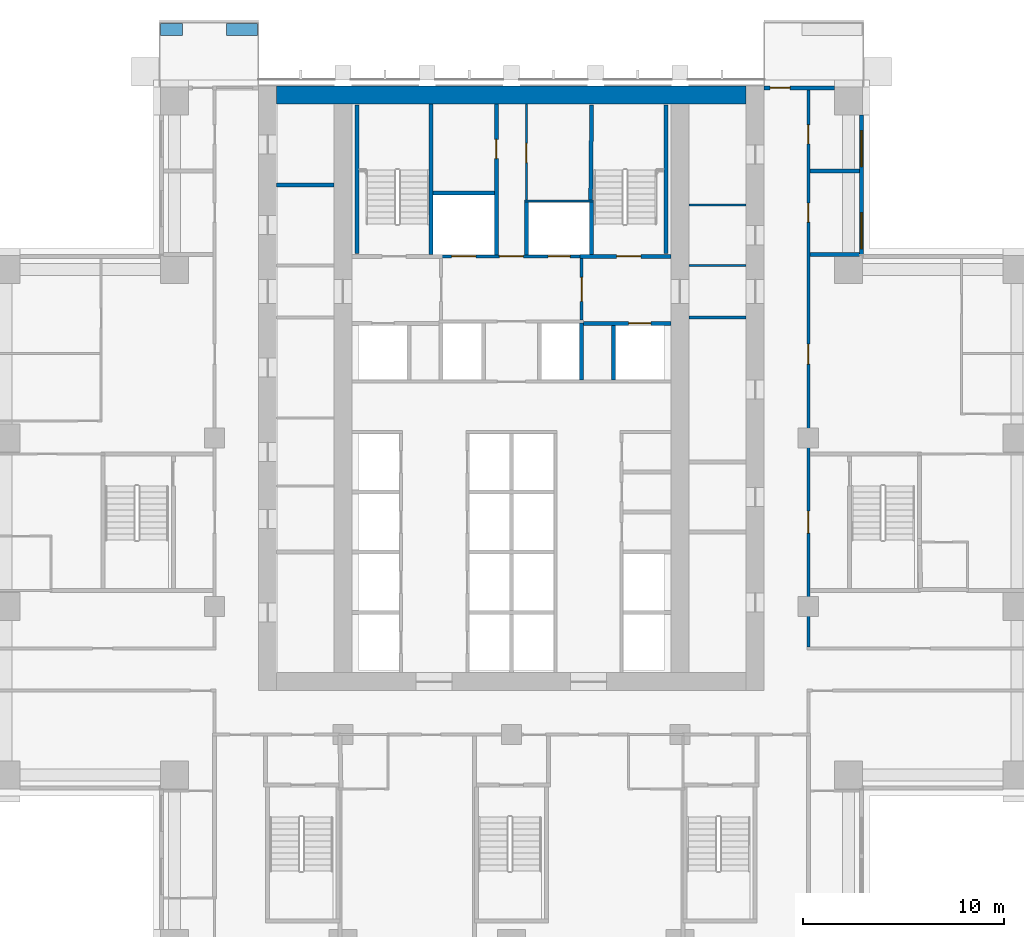
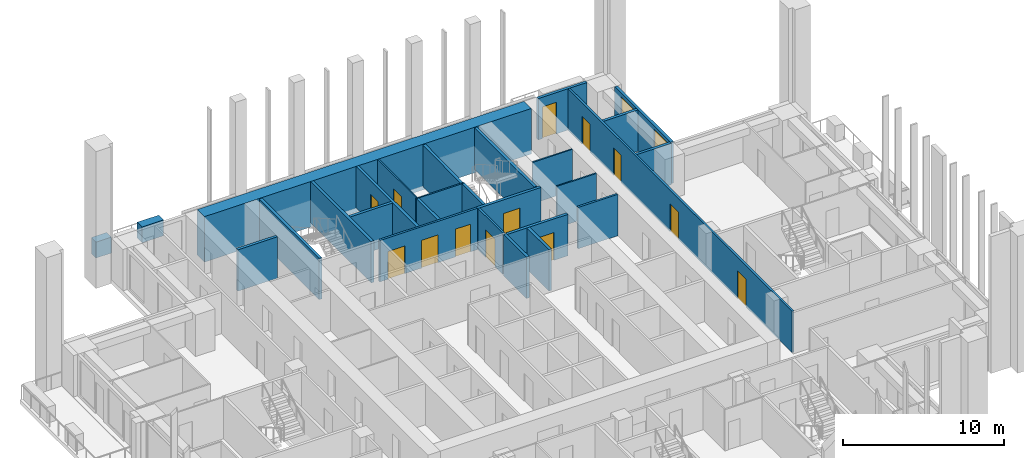
# One storey, part 11 of 17: 28 walls, 13 doors, 2 windows, 15 openings.
"""IFC4 building model written with IfcOpenShell, lengths in metres."""

from ifc_helpers import new_model, si_unit, direction, frame, frame_2d, origin, place, context, subcontext, project, spatial, rectangle, extrude, material, layer, layer_set, type_object, element, fill, save


model = new_model("IFC4")

# Units and contexts
model_context = context("Model", 3, precision=1e-05, world=origin(), true_north=direction((0.0, 1.0)))
body_context = subcontext(model_context, "Body", "Model", "MODEL_VIEW")
ifc_project = project(units=[si_unit("LENGTHUNIT", "METRE"), si_unit("AREAUNIT", "SQUARE_METRE"), si_unit("VOLUMEUNIT", "CUBIC_METRE"), si_unit("PLANEANGLEUNIT", "RADIAN"), si_unit("MASSUNIT", "GRAM", prefix="KILO")], contexts=[model_context])

# Site, building, storey
site_placement = place(None, origin())
site = spatial("IfcSite", under=ifc_project, at=site_placement, CompositionType="ELEMENT")
building_placement = place(site_placement, origin())
building = spatial("IfcBuilding", under=site, at=building_placement, Name="Vermilion Ogive Tower", CompositionType="ELEMENT")
storey_placement = place(building_placement, frame((0.0, 0.0, 37.949951171875)))
storey = spatial("IfcBuildingStorey", under=building, at=storey_placement, Name="L07", CompositionType="ELEMENT", Elevation=37.949951171875)

# Wall
ifc_material_1 = material(Name="Gypsum board partition on steel studs", Category="steel")
ifc_layer_1 = layer(ifc_material_1, 0.10009765625)
ifc_layer_set_1 = layer_set([ifc_layer_1], Name="Partition 100 bath")
wall_type_1 = type_object("IfcWallType", Name="Partition 100 bath", PredefinedType="PARTITIONING", material=ifc_layer_set_1)
wall_1_placement = place(storey_placement, frame((0.64990234375, 16.0, 0.0), z_axis=(0.0, 0.0, 1.0), x_axis=(1.0, 0.0, 0.0)))
element("IfcWall", 1, at=wall_1_placement, inside=storey, type_object=wall_type_1, Name="L07-CK-W-W021", PredefinedType="PARTITIONING", context=body_context, shape_type="SweptSolid", body=[
    extrude(rectangle(XDim=3.4501953125, YDim=0.10009765625, at=frame_2d((1.72509765625, 0.0))), origin(), (0.0, 0.0, 1.0), 3.130126953125),
])

# Wall, opening, door
wall_2_placement = place(storey_placement, frame((0.75, 16.050048828125, 0.0), z_axis=(0.0, 0.0, 1.0), x_axis=(0.0, 1.0, 0.0)))
wall_2 = element("IfcWall", 2, at=wall_2_placement, inside=storey, type_object=wall_type_1, Name="L07-CK-W-W033", PredefinedType="PARTITIONING", context=body_context, shape_type="SweptSolid", body=[
    extrude(rectangle(XDim=4.799072265625, YDim=0.10009765625, at=frame_2d((2.3994140625, 0.0))), origin(), (0.0, 0.0, 1.0), 3.130126953125),
])
opening_1_placement = place(wall_2_placement, frame((1.875, 0.0, 0.0)))
opening_1 = element("IfcOpeningElement", 3, at=opening_1_placement, cuts=wall_2, Name="Opening DAA031", PredefinedType="OPENING", context=body_context, shape_type="SweptSolid", body=[
    extrude(rectangle(XDim=0.949951171875, YDim=2.10009765625, at=frame_2d((0.47509765625, 1.050048828125))), frame((0.0, 0.06005859375, 0.0), z_axis=(0.0, -1.0, 0.0), x_axis=(1.0, 0.0, 0.0)), (0.0, 0.0, 1.0), 0.1201171875),
])
ifc_material_2 = material(Name="Timber door leaf", Category="wood")
door_type_1 = type_object("IfcDoorType", Name="Service door 950 x 2100 FD60", OperationType="SINGLE_SWING_LEFT", PredefinedType="DOOR", material=ifc_material_2)
door_1_placement = place(opening_1_placement, origin())
door_1 = element("IfcDoor", 4, at=door_1_placement, inside=storey, type_object=door_type_1, Name="L07-CK-D-D022", OperationType="SINGLE_SWING_LEFT", OverallHeight=2.10009765625, OverallWidth=0.949951171875, PredefinedType="DOOR", context=body_context, shape_type="SweptSolid", body=[
    extrude(rectangle(XDim=0.949951171875, YDim=2.10009765625, at=frame_2d((0.47509765625, 1.050048828125))), frame((0.0, 0.02490234375, 0.0), z_axis=(0.0, -1.0, 0.0), x_axis=(1.0, 0.0, 0.0)), (0.0, 0.0, 1.0), 0.050048828125),
])
fill(opening_1, door_1)

# Walls
for number, where, z_axis, x_axis, name in (
    (5, (8.85107421875, 12.800048828125, 0.0), (0.0, 0.0, 1.0), (1.0, 0.0, 0.0), "L07-CKE-W-W004"),
    (6, (8.85107421875, 15.800048828125, 0.0), (0.0, 0.0, 1.0), (1.0, 0.0, 0.0), "L07-CKE-W-W005"),
):
    element("IfcWall", number, at=place(storey_placement, frame(where, z_axis=z_axis, x_axis=x_axis)), inside=storey, type_object=wall_type_1, Name=name, PredefinedType="PARTITIONING", context=body_context, shape_type="SweptSolid", body=[
        extrude(rectangle(XDim=2.847900390625, YDim=0.10009765625, at=frame_2d((1.423828125, 0.0))), origin(), (0.0, 0.0, 1.0), 3.130126953125),
    ])

# Wall, openings, doors
ifc_material_3 = material(Name="Gypsum board partition on steel studs", Category="steel")
ifc_layer_2 = layer(ifc_material_3, 0.14990234375)
ifc_layer_set_2 = layer_set([ifc_layer_2], Name="Partition 150 corridor")
wall_type_2 = type_object("IfcWallType", Name="Partition 150 corridor", PredefinedType="PARTITIONING", material=ifc_layer_set_2)
wall_3_placement = place(storey_placement, frame((14.800048828125, -6.22509765625, 0.0), z_axis=(0.0, 0.0, 1.0), x_axis=(0.0, 1.0, 0.0)))
wall_3 = element("IfcWall", 7, at=wall_3_placement, inside=storey, type_object=wall_type_2, Name="L07-W-W068", PredefinedType="PARTITIONING", context=body_context, shape_type="SweptSolid", body=[
    extrude(rectangle(XDim=27.775146484375, YDim=0.14990234375, at=frame_2d((13.8876953125, 0.0))), origin(), (0.0, 0.0, 1.0), 3.130126953125),
])
opening_2_placement = place(wall_3_placement, frame((14.10009765625, 0.0, 0.0)))
opening_2 = element("IfcOpeningElement", 8, at=opening_2_placement, cuts=wall_3, Name="Opening D1G2020", PredefinedType="OPENING", context=body_context, shape_type="SweptSolid", body=[
    extrude(rectangle(XDim=1.0, YDim=2.10009765625, at=frame_2d((0.5, 1.050048828125))), frame((0.0, 0.0849609375, 0.0), z_axis=(0.0, -1.0, 0.0), x_axis=(1.0, 0.0, 0.0)), (0.0, 0.0, 1.0), 0.169921875),
])
opening_3_placement = place(wall_3_placement, frame((21.175048828125, 0.0, 0.0)))
opening_3 = element("IfcOpeningElement", 9, at=opening_3_placement, cuts=wall_3, Name="Opening D1G2023", PredefinedType="OPENING", context=body_context, shape_type="SweptSolid", body=[
    extrude(rectangle(XDim=0.949951171875, YDim=2.10009765625, at=frame_2d((0.47509765625, 1.050048828125))), frame((0.0, 0.0849609375, 0.0), z_axis=(0.0, -1.0, 0.0), x_axis=(1.0, 0.0, 0.0)), (0.0, 0.0, 1.0), 0.169921875),
])
opening_4_placement = place(wall_3_placement, frame((25.0751953125, 0.0, 0.0)))
opening_4 = element("IfcOpeningElement", 10, at=opening_4_placement, cuts=wall_3, Name="Opening D1G2024", PredefinedType="OPENING", context=body_context, shape_type="SweptSolid", body=[
    extrude(rectangle(XDim=0.949951171875, YDim=2.10009765625, at=frame_2d((0.47509765625, 1.050048828125))), frame((0.0, 0.0849609375, 0.0), z_axis=(0.0, -1.0, 0.0), x_axis=(1.0, 0.0, 0.0)), (0.0, 0.0, 1.0), 0.169921875),
])
opening_5_placement = place(wall_3_placement, frame((5.675048828125, 0.0, 0.0)))
opening_5 = element("IfcOpeningElement", 11, at=opening_5_placement, cuts=wall_3, Name="Opening D1G2031", PredefinedType="OPENING", context=body_context, shape_type="SweptSolid", body=[
    extrude(rectangle(XDim=1.10009765625, YDim=2.10009765625, at=frame_2d((0.550048828125, 1.050048828125))), frame((0.0, 0.0849609375, 0.0), z_axis=(0.0, -1.0, 0.0), x_axis=(1.0, 0.0, 0.0)), (0.0, 0.0, 1.0), 0.169921875),
])
ifc_material_4 = material(Name="Timber door leaf", Category="wood")
door_type_2 = type_object("IfcDoorType", Name="Stair door 1100 x 2100 FD60S", OperationType="SINGLE_SWING_LEFT", PredefinedType="DOOR", material=ifc_material_4)
door_2_placement = place(opening_5_placement, origin())
door_2 = element("IfcDoor", 12, at=door_2_placement, inside=storey, type_object=door_type_2, Name="L07-D-D031", OperationType="SINGLE_SWING_LEFT", OverallHeight=2.10009765625, OverallWidth=1.10009765625, PredefinedType="DOOR", context=body_context, shape_type="SweptSolid", body=[
    extrude(rectangle(XDim=1.10009765625, YDim=2.10009765625, at=frame_2d((0.550048828125, 1.050048828125))), frame((0.0, 0.02490234375, 0.0), z_axis=(0.0, -1.0, 0.0), x_axis=(1.0, 0.0, 0.0)), (0.0, 0.0, 1.0), 0.050048828125),
])
fill(opening_5, door_2)
ifc_material_5 = material(Name="Timber door leaf", Category="wood")
door_type_3 = type_object("IfcDoorType", Name="Unit door 1000 x 2100 FD30S", OperationType="SINGLE_SWING_LEFT", PredefinedType="DOOR", material=ifc_material_5)
door_3_placement = place(opening_2_placement, origin())
door_3 = element("IfcDoor", 13, at=door_3_placement, inside=storey, type_object=door_type_3, Name="L07-D-D020", OperationType="SINGLE_SWING_RIGHT", OverallHeight=2.10009765625, OverallWidth=1.0, PredefinedType="DOOR", context=body_context, shape_type="SweptSolid", body=[
    extrude(rectangle(XDim=1.0, YDim=2.10009765625, at=frame_2d((0.5, 1.050048828125))), frame((0.0, 0.02490234375, 0.0), z_axis=(0.0, -1.0, 0.0), x_axis=(1.0, 0.0, 0.0)), (0.0, 0.0, 1.0), 0.050048828125),
])
fill(opening_2, door_3)
ifc_material_6 = material(Name="Timber door leaf", Category="wood")
door_type_4 = type_object("IfcDoorType", Name="Unit door 950 x 2100 FD30S", OperationType="SINGLE_SWING_LEFT", PredefinedType="DOOR", material=ifc_material_6)
door_4_placement = place(opening_3_placement, origin())
door_4 = element("IfcDoor", 14, at=door_4_placement, inside=storey, type_object=door_type_4, Name="L07-D-D023", OperationType="SINGLE_SWING_LEFT", OverallHeight=2.10009765625, OverallWidth=0.949951171875, PredefinedType="DOOR", context=body_context, shape_type="SweptSolid", body=[
    extrude(rectangle(XDim=0.949951171875, YDim=2.10009765625, at=frame_2d((0.47509765625, 1.050048828125))), frame((0.0, 0.02490234375, 0.0), z_axis=(0.0, -1.0, 0.0), x_axis=(1.0, 0.0, 0.0)), (0.0, 0.0, 1.0), 0.050048828125),
])
fill(opening_3, door_4)
door_5_placement = place(opening_4_placement, origin())
door_5 = element("IfcDoor", 15, at=door_5_placement, inside=storey, type_object=door_type_4, Name="L07-D-D024", OperationType="SINGLE_SWING_RIGHT", OverallHeight=2.10009765625, OverallWidth=0.949951171875, PredefinedType="DOOR", context=body_context, shape_type="SweptSolid", body=[
    extrude(rectangle(XDim=0.949951171875, YDim=2.10009765625, at=frame_2d((0.47509765625, 1.050048828125))), frame((0.0, 0.02490234375, 0.0), z_axis=(0.0, -1.0, 0.0), x_axis=(1.0, 0.0, 0.0)), (0.0, 0.0, 1.0), 0.050048828125),
])
fill(opening_4, door_5)

wall_4_placement = place(storey_placement, frame((-3.574951171875, 13.25, 0.0), z_axis=(0.0, 0.0, 1.0), x_axis=(1.0, 0.0, 0.0)))
wall_4 = element("IfcWall", 16, at=wall_4_placement, inside=storey, type_object=wall_type_2, Name="L07-CK-W-W019", PredefinedType="PARTITIONING", context=body_context, shape_type="SweptSolid", body=[
    extrude(rectangle(XDim=7.14990234375, YDim=0.14990234375, at=frame_2d((3.574951171875, 0.0))), origin(), (0.0, 0.0, 1.0), 3.130126953125),
])
opening_6_placement = place(wall_4_placement, frame((0.599853515625, 0.0, 0.0)))
opening_6 = element("IfcOpeningElement", 17, at=opening_6_placement, cuts=wall_4, Name="Opening DAA045", PredefinedType="OPENING", context=body_context, shape_type="SweptSolid", body=[
    extrude(rectangle(XDim=1.199951171875, YDim=2.10009765625, at=frame_2d((0.60009765625, 1.050048828125))), frame((0.0, 0.0849609375, 0.0), z_axis=(0.0, -1.0, 0.0), x_axis=(1.0, 0.0, 0.0)), (0.0, 0.0, 1.0), 0.169921875),
])
opening_7_placement = place(wall_4_placement, frame((5.39990234375, 0.0, 0.0)))
opening_7 = element("IfcOpeningElement", 18, at=opening_7_placement, cuts=wall_4, Name="Opening DAA036", PredefinedType="OPENING", context=body_context, shape_type="SweptSolid", body=[
    extrude(rectangle(XDim=1.10009765625, YDim=2.10009765625, at=frame_2d((0.550048828125, 1.050048828125))), frame((0.0, 0.0849609375, 0.0), z_axis=(0.0, -1.0, 0.0), x_axis=(1.0, 0.0, 0.0)), (0.0, 0.0, 1.0), 0.169921875),
])
opening_8_placement = place(wall_4_placement, frame((2.974853515625, 0.0, 0.0)))
opening_8 = element("IfcOpeningElement", 19, at=opening_8_placement, cuts=wall_4, Name="Opening DAA026", PredefinedType="OPENING", context=body_context, shape_type="SweptSolid", body=[
    extrude(rectangle(XDim=1.199951171875, YDim=2.10009765625, at=frame_2d((0.60009765625, 1.050048828125))), frame((0.0, 0.0849609375, 0.0), z_axis=(0.0, -1.0, 0.0), x_axis=(1.0, 0.0, 0.0)), (0.0, 0.0, 1.0), 0.169921875),
])
ifc_material_7 = material(Name="Stainless steel", Category="steel")
door_type_5 = type_object("IfcDoorType", Name="Lift landing door 1100 x 2100", OperationType="SLIDING_TO_LEFT", PredefinedType="DOOR", material=ifc_material_7)
door_6_placement = place(opening_7_placement, origin())
door_6 = element("IfcDoor", 20, at=door_6_placement, inside=storey, type_object=door_type_5, Name="L07-CK-D-D019", OperationType="SLIDING_TO_LEFT", OverallHeight=2.10009765625, OverallWidth=1.10009765625, PredefinedType="DOOR", context=body_context, shape_type="SweptSolid", body=[
    extrude(rectangle(XDim=1.10009765625, YDim=2.10009765625, at=frame_2d((0.550048828125, 1.050048828125))), frame((0.0, 0.02490234375, 0.0), z_axis=(0.0, -1.0, 0.0), x_axis=(1.0, 0.0, 0.0)), (0.0, 0.0, 1.0), 0.050048828125),
])
fill(opening_7, door_6)
ifc_material_8 = material(Name="Stainless steel", Category="steel")
door_type_6 = type_object("IfcDoorType", Name="Lift landing door 1200 x 2100", OperationType="SLIDING_TO_LEFT", PredefinedType="DOOR", material=ifc_material_8)
door_7_placement = place(opening_6_placement, origin())
door_7 = element("IfcDoor", 21, at=door_7_placement, inside=storey, type_object=door_type_6, Name="L07-CK-D-D018", OperationType="SLIDING_TO_RIGHT", OverallHeight=2.10009765625, OverallWidth=1.199951171875, PredefinedType="DOOR", context=body_context, shape_type="SweptSolid", body=[
    extrude(rectangle(XDim=1.199951171875, YDim=2.10009765625, at=frame_2d((0.60009765625, 1.050048828125))), frame((0.0, 0.02490234375, 0.0), z_axis=(0.0, -1.0, 0.0), x_axis=(1.0, 0.0, 0.0)), (0.0, 0.0, 1.0), 0.050048828125),
])
fill(opening_6, door_7)
ifc_material_9 = material(Name="Timber door leaf", Category="wood")
door_type_7 = type_object("IfcDoorType", Name="Service door 1200 x 2100 FD60", OperationType="SINGLE_SWING_LEFT", PredefinedType="DOOR", material=ifc_material_9)
door_8_placement = place(opening_8_placement, origin())
door_8 = element("IfcDoor", 22, at=door_8_placement, inside=storey, type_object=door_type_7, Name="L07-CK-D-D020", OperationType="SINGLE_SWING_RIGHT", OverallHeight=2.10009765625, OverallWidth=1.199951171875, PredefinedType="DOOR", context=body_context, shape_type="SweptSolid", body=[
    extrude(rectangle(XDim=1.199951171875, YDim=2.10009765625, at=frame_2d((0.60009765625, 1.050048828125))), frame((0.0, 0.02490234375, 0.0), z_axis=(0.0, -1.0, 0.0), x_axis=(1.0, 0.0, 0.0)), (0.0, 0.0, 1.0), 0.050048828125),
])
fill(opening_8, door_8)

# Wall, opening, door
wall_5_placement = place(storey_placement, frame((3.5, 10.074951171875, 0.0), z_axis=(0.0, 0.0, 1.0), x_axis=(0.0, 1.0, 0.0)))
wall_5 = element("IfcWall", 23, at=wall_5_placement, inside=storey, type_object=wall_type_2, Name="L07-CK-W-W037", PredefinedType="PARTITIONING", context=body_context, shape_type="SweptSolid", body=[
    extrude(rectangle(XDim=3.074951171875, YDim=0.14990234375, at=frame_2d((1.53759765625, 0.0))), origin(), (0.0, 0.0, 1.0), 3.130126953125),
])
opening_9_placement = place(wall_5_placement, frame((0.925048828125, 0.0, 0.0)))
opening_9 = element("IfcOpeningElement", 24, at=opening_9_placement, cuts=wall_5, Name="Opening DAA023", PredefinedType="OPENING", context=body_context, shape_type="SweptSolid", body=[
    extrude(rectangle(XDim=1.199951171875, YDim=2.10009765625, at=frame_2d((0.60009765625, 1.050048828125))), frame((0.0, 0.0849609375, 0.0), z_axis=(0.0, -1.0, 0.0), x_axis=(1.0, 0.0, 0.0)), (0.0, 0.0, 1.0), 0.169921875),
])
ifc_material_10 = material(Name="Timber door leaf", Category="wood")
door_type_8 = type_object("IfcDoorType", Name="Lobby door 1200 x 2100 FD60S", OperationType="SINGLE_SWING_LEFT", PredefinedType="DOOR", material=ifc_material_10)
door_9_placement = place(opening_9_placement, origin())
door_9 = element("IfcDoor", 25, at=door_9_placement, inside=storey, type_object=door_type_8, Name="L07-CK-D-D024", OperationType="SINGLE_SWING_LEFT", OverallHeight=2.10009765625, OverallWidth=1.199951171875, PredefinedType="DOOR", context=body_context, shape_type="SweptSolid", body=[
    extrude(rectangle(XDim=1.199951171875, YDim=2.10009765625, at=frame_2d((0.60009765625, 1.050048828125))), frame((0.0, 0.02490234375, 0.0), z_axis=(0.0, -1.0, 0.0), x_axis=(1.0, 0.0, 0.0)), (0.0, 0.0, 1.0), 0.050048828125),
])
fill(opening_9, door_9)

# Walls
wall_6_placement = place(storey_placement, frame((8.85107421875, 10.199951171875, 0.0), z_axis=(0.0, 0.0, 1.0), x_axis=(1.0, 0.0, 0.0)))
element("IfcWall", 26, at=wall_6_placement, inside=storey, type_object=wall_type_2, Name="L07-CKE-W-W003", PredefinedType="PARTITIONING", context=body_context, shape_type="SweptSolid", body=[
    extrude(rectangle(XDim=2.847900390625, YDim=0.14990234375, at=frame_2d((1.423828125, 0.0))), origin(), (0.0, 0.0, 1.0), 3.130126953125),
])
ifc_material_11 = material(Name="Gypsum board partition on steel studs", Category="steel")
ifc_layer_3 = layer(ifc_material_11, 0.199951171875)
ifc_layer_set_3 = layer_set([ifc_layer_3], Name="Partition 200 party")
wall_type_3 = type_object("IfcWallType", Name="Partition 200 party", PredefinedType="PARTITIONING", material=ifc_layer_set_3)
for number, where, z_axis, x_axis, name in (
    (27, (14.875, 13.35009765625, 0.0), (0.0, 0.0, 1.0), (1.0, 0.0, 0.0), "L07-W-W038"),
    (28, (14.875, 17.5, 0.0), (0.0, 0.0, 1.0), (1.0, 0.0, 0.0), "L07-W-W040"),
):
    element("IfcWall", number, at=place(storey_placement, frame(where, z_axis=z_axis, x_axis=x_axis)), inside=storey, type_object=wall_type_3, Name=name, PredefinedType="PARTITIONING", context=body_context, shape_type="SweptSolid", body=[
        extrude(rectangle(XDim=2.47509765625, YDim=0.199951171875, at=frame_2d((1.237548828125, 0.0))), origin(), (0.0, 0.0, 1.0), 3.130126953125),
    ])

# Wall, opening, door
wall_7_placement = place(storey_placement, frame((3.60009765625, 9.89990234375, 0.0), z_axis=(0.0, 0.0, 1.0), x_axis=(1.0, 0.0, 0.0)))
wall_7 = element("IfcWall", 29, at=wall_7_placement, inside=storey, type_object=wall_type_3, Name="L07-CK-W-W016", PredefinedType="PARTITIONING", context=body_context, shape_type="SweptSolid", body=[
    extrude(rectangle(XDim=4.348876953125, YDim=0.199951171875, at=frame_2d((2.17431640625, 0.0))), origin(), (0.0, 0.0, 1.0), 3.130126953125),
])
opening_10_placement = place(wall_7_placement, frame((2.25, 0.0, 0.0)))
opening_10 = element("IfcOpeningElement", 30, at=opening_10_placement, cuts=wall_7, Name="Opening DAA035", PredefinedType="OPENING", context=body_context, shape_type="SweptSolid", body=[
    extrude(rectangle(XDim=1.10009765625, YDim=2.10009765625, at=frame_2d((0.550048828125, 1.050048828125))), frame((0.0, 0.10986328125, 0.0), z_axis=(0.0, -1.0, 0.0), x_axis=(1.0, 0.0, 0.0)), (0.0, 0.0, 1.0), 0.219970703125),
])
door_10_placement = place(opening_10_placement, origin())
door_10 = element("IfcDoor", 31, at=door_10_placement, inside=storey, type_object=door_type_5, Name="L07-CK-D-D015", OperationType="SLIDING_TO_LEFT", OverallHeight=2.10009765625, OverallWidth=1.10009765625, PredefinedType="DOOR", context=body_context, shape_type="SweptSolid", body=[
    extrude(rectangle(XDim=1.10009765625, YDim=2.10009765625, at=frame_2d((0.550048828125, 1.050048828125))), frame((0.0, 0.02490234375, 0.0), z_axis=(0.0, -1.0, 0.0), x_axis=(1.0, 0.0, 0.0)), (0.0, 0.0, 1.0), 0.050048828125),
])
fill(opening_10, door_10)

# Wall
wall_8_placement = place(storey_placement, frame((-3.89990234375, 16.39990234375, 0.0), z_axis=(0.0, 0.0, 1.0), x_axis=(1.0, 0.0, 0.0)))
element("IfcWall", 32, at=wall_8_placement, inside=storey, type_object=wall_type_3, Name="L07-CK-W-W022", PredefinedType="PARTITIONING", context=body_context, shape_type="SweptSolid", body=[
    extrude(rectangle(XDim=3.0498046875, YDim=0.199951171875, at=frame_2d((1.52490234375, 0.0))), origin(), (0.0, 0.0, 1.0), 3.130126953125),
])

# Wall, opening, door
wall_9_placement = place(storey_placement, frame((-0.75, 13.324951171875, 0.0), z_axis=(0.0, 0.0, 1.0), x_axis=(0.0, 1.0, 0.0)))
wall_9 = element("IfcWall", 33, at=wall_9_placement, inside=storey, type_object=wall_type_3, Name="L07-CK-W-W030", PredefinedType="PARTITIONING", context=body_context, shape_type="SweptSolid", body=[
    extrude(rectangle(XDim=7.524169921875, YDim=0.199951171875, at=frame_2d((3.76220703125, 0.0))), origin(), (0.0, 0.0, 1.0), 3.130126953125),
])
opening_11_placement = place(wall_9_placement, frame((4.800048828125, 0.0, 0.0)))
opening_11 = element("IfcOpeningElement", 34, at=opening_11_placement, cuts=wall_9, Name="Opening DAA030", PredefinedType="OPENING", context=body_context, shape_type="SweptSolid", body=[
    extrude(rectangle(XDim=0.949951171875, YDim=2.10009765625, at=frame_2d((0.47509765625, 1.050048828125))), frame((0.0, 0.10986328125, 0.0), z_axis=(0.0, -1.0, 0.0), x_axis=(1.0, 0.0, 0.0)), (0.0, 0.0, 1.0), 0.219970703125),
])
door_11_placement = place(opening_11_placement, origin())
door_11 = element("IfcDoor", 35, at=door_11_placement, inside=storey, type_object=door_type_1, Name="L07-CK-D-D021", OperationType="SINGLE_SWING_RIGHT", OverallHeight=2.10009765625, OverallWidth=0.949951171875, PredefinedType="DOOR", context=body_context, shape_type="SweptSolid", body=[
    extrude(rectangle(XDim=0.949951171875, YDim=2.10009765625, at=frame_2d((0.47509765625, 1.050048828125))), frame((0.0, 0.02490234375, 0.0), z_axis=(0.0, -1.0, 0.0), x_axis=(1.0, 0.0, 0.0)), (0.0, 0.0, 1.0), 0.050048828125),
])
fill(opening_11, door_11)

# Walls
wall_10_placement = place(storey_placement, frame((0.75, 13.324951171875, 0.0), z_axis=(0.0, 0.0, 1.0), x_axis=(0.0, 1.0, 0.0)))
element("IfcWall", 36, at=wall_10_placement, inside=storey, type_object=wall_type_3, Name="L07-CK-W-W032", PredefinedType="PARTITIONING", context=body_context, shape_type="SweptSolid", body=[
    extrude(rectangle(XDim=2.625, YDim=0.199951171875, at=frame_2d((1.3125, 0.0))), origin(), (0.0, 0.0, 1.0), 3.130126953125),
])
wall_11_placement = place(storey_placement, frame((3.5, 7.074951171875, 0.0), z_axis=(0.0, 0.0, 1.0), x_axis=(0.0, 1.0, 0.0)))
element("IfcWall", 37, at=wall_11_placement, inside=storey, type_object=wall_type_3, Name="L07-CK-W-W036", PredefinedType="PARTITIONING", context=body_context, shape_type="SweptSolid", body=[
    extrude(rectangle(XDim=2.85009765625, YDim=0.199951171875, at=frame_2d((1.425048828125, 0.0))), origin(), (0.0, 0.0, 1.0), 3.130126953125),
])
wall_12_placement = place(storey_placement, frame((5.10009765625, 7.074951171875, 0.0), z_axis=(0.0, 0.0, 1.0), x_axis=(0.0, 1.0, 0.0)))
element("IfcWall", 38, at=wall_12_placement, inside=storey, type_object=wall_type_3, Name="L07-CK-W-W040", PredefinedType="PARTITIONING", context=body_context, shape_type="SweptSolid", body=[
    extrude(rectangle(XDim=2.72509765625, YDim=0.199951171875, at=frame_2d((1.362548828125, 0.0))), origin(), (0.0, 0.0, 1.0), 3.130126953125),
])
wall_13_placement = place(storey_placement, frame((-11.698974609375, 16.800048828125, 0.0), z_axis=(0.0, 0.0, 1.0), x_axis=(1.0, 0.0, 0.0)))
element("IfcWall", 39, at=wall_13_placement, inside=storey, type_object=wall_type_3, Name="L07-CKW-W-W006", PredefinedType="PARTITIONING", context=body_context, shape_type="SweptSolid", body=[
    extrude(rectangle(XDim=2.847900390625, YDim=0.199951171875, at=frame_2d((1.423828125, 0.0))), origin(), (0.0, 0.0, 1.0), 3.130126953125),
])
ifc_material_12 = material(Name="Concrete B60", Category="concrete")
ifc_layer_4 = layer(ifc_material_12, 0.199951171875)
ifc_layer_set_4 = layer_set([ifc_layer_4], Name="Stair shaft wall 200 Concrete B60")
wall_type_4 = type_object("IfcWallType", Name="Stair shaft wall 200 Concrete B60", PredefinedType="SOLIDWALL", material=ifc_layer_set_4)
wall_14_placement = place(storey_placement, frame((-11.699951171875, 21.300048828125, -0.320068359375), z_axis=(0.0, 0.0, 1.0), x_axis=(1.0, 0.0, 0.0)))
element("IfcWall", 40, at=wall_14_placement, inside=storey, type_object=wall_type_4, Name="L07-CORE-N", PredefinedType="SOLIDWALL", context=body_context, shape_type="SweptSolid", body=[
    extrude(rectangle(XDim=23.39990234375, YDim=0.89990234375, at=frame_2d((11.699951171875, 0.0))), origin(), (0.0, 0.0, 1.0), 3.4501953125),
])

# Wall, opening, door
wall_15_placement = place(storey_placement, frame((3.425048828125, 13.25, 0.0), z_axis=(0.0, 0.0, 1.0), x_axis=(1.0, 0.0, 0.0)))
wall_15 = element("IfcWall", 41, at=wall_15_placement, inside=storey, type_object=wall_type_4, Name="L07-CK-W-W020", PredefinedType="SOLIDWALL", context=body_context, shape_type="SweptSolid", body=[
    extrude(rectangle(XDim=4.52392578125, YDim=0.199951171875, at=frame_2d((2.261962890625, 0.0))), origin(), (0.0, 0.0, 1.0), 3.130126953125),
])
opening_12_placement = place(wall_15_placement, frame((1.824951171875, 0.0, 0.0)))
opening_12 = element("IfcOpeningElement", 42, at=opening_12_placement, cuts=wall_15, Name="Opening DAA033", PredefinedType="OPENING", context=body_context, shape_type="SweptSolid", body=[
    extrude(rectangle(XDim=1.199951171875, YDim=2.10009765625, at=frame_2d((0.60009765625, 1.050048828125))), frame((0.0, 0.10986328125, 0.0), z_axis=(0.0, -1.0, 0.0), x_axis=(1.0, 0.0, 0.0)), (0.0, 0.0, 1.0), 0.219970703125),
])
ifc_material_13 = material(Name="Timber door leaf", Category="wood")
door_type_9 = type_object("IfcDoorType", Name="Stair door 1200 x 2100 FD60S", OperationType="SINGLE_SWING_LEFT", PredefinedType="DOOR", material=ifc_material_13)
door_12_placement = place(opening_12_placement, origin())
door_12 = element("IfcDoor", 43, at=door_12_placement, inside=storey, type_object=door_type_9, Name="L07-CK-D-D014", OperationType="SINGLE_SWING_RIGHT", OverallHeight=2.10009765625, OverallWidth=1.199951171875, PredefinedType="DOOR", context=body_context, shape_type="SweptSolid", body=[
    extrude(rectangle(XDim=1.199951171875, YDim=2.10009765625, at=frame_2d((0.60009765625, 1.050048828125))), frame((0.0, 0.02490234375, 0.0), z_axis=(0.0, -1.0, 0.0), x_axis=(1.0, 0.0, 0.0)), (0.0, 0.0, 1.0), 0.050048828125),
])
fill(opening_12, door_12)

# Walls
wall_16_placement = place(storey_placement, frame((-4.0, 13.35009765625, 0.0), z_axis=(0.0, 0.0, 1.0), x_axis=(0.0, 1.0, 0.0)))
element("IfcWall", 44, at=wall_16_placement, inside=storey, type_object=wall_type_4, Name="L07-CK-W-W025", PredefinedType="SOLIDWALL", context=body_context, shape_type="SweptSolid", body=[
    extrude(rectangle(XDim=7.4990234375, YDim=0.199951171875, at=frame_2d((3.74951171875, 0.0))), origin(), (0.0, 0.0, 1.0), 3.130126953125),
])
wall_17_placement = place(storey_placement, frame((4.0, 13.35009765625, 0.0), z_axis=(0.0, 0.0, 1.0), x_axis=(0.0, 1.0, 0.0)))
element("IfcWall", 45, at=wall_17_placement, inside=storey, type_object=wall_type_4, Name="L07-CK-W-W038", PredefinedType="SOLIDWALL", context=body_context, shape_type="SweptSolid", body=[
    extrude(rectangle(XDim=2.599853515625, YDim=0.199951171875, at=frame_2d((1.2998046875, 0.0))), origin(), (0.0, 0.0, 1.0), 3.130126953125),
])
wall_18_placement = place(storey_placement, frame((3.949951171875, 16.050048828125, 0.0), z_axis=(0.0, 0.0, 1.0), x_axis=(0.010538176883, 0.999944471872, 0.0)))
element("IfcWall", 46, at=wall_18_placement, inside=storey, type_object=wall_type_4, Name="L07-CK-W-W039", PredefinedType="SOLIDWALL", context=body_context, shape_type="SweptSolid", body=[
    extrude(rectangle(XDim=4.749267578125, YDim=0.199951171875, at=frame_2d((2.37451171875, 0.0))), origin(), (0.0, 0.0, 1.0), 3.130126953125),
])
for number, where, z_axis, x_axis, name in (
    (47, (-7.699951171875, 13.39990234375, 0.0), (0.0, 0.0, 1.0), (0.0, 1.0, 0.0), "L07-SW-R023-W1"),
    (48, (7.699951171875, 13.39990234375, 0.0), (0.0, 0.0, 1.0), (0.0, 1.0, 0.0), "L07-SW-R027-E1"),
):
    element("IfcWall", number, at=place(storey_placement, frame(where, z_axis=z_axis, x_axis=x_axis)), inside=storey, type_object=wall_type_4, Name=name, PredefinedType="SOLIDWALL", context=body_context, shape_type="SweptSolid", body=[
        extrude(rectangle(XDim=7.400146484375, YDim=0.199951171875, at=frame_2d((3.7001953125, 0.0))), origin(), (0.0, 0.0, 1.0), 3.130126953125),
    ])
ifc_material_14 = material(Name="Concrete B40", Category="concrete")
ifc_layer_5 = layer(ifc_material_14, 0.60009765625)
ifc_layer_set_5 = layer_set([ifc_layer_5], Name="Structural planter")
wall_type_5 = type_object("IfcWallType", Name="Structural planter", PredefinedType="USERDEFINED", material=ifc_layer_set_5)
wall_19_placement = place(storey_placement, frame((-12.659912109375, 24.550048828125, -0.0400390625), z_axis=(0.0, 0.0, 1.0), x_axis=(-1.0, 0.0, 0.0)))
element("IfcWall", 49, at=wall_19_placement, inside=storey, type_object=wall_type_5, Name="Planter N201A1", ObjectType="PLANTER", PredefinedType="USERDEFINED", context=body_context, shape_type="SweptSolid", body=[
    extrude(rectangle(XDim=1.5400390625, YDim=0.60009765625, at=frame_2d((0.77001953125, 0.0))), origin(), (0.0, 0.0, 1.0), 1.2001953125),
])
wall_20_placement = place(storey_placement, frame((-16.39990234375, 24.550048828125, -0.0400390625), z_axis=(0.0, 0.0, 1.0), x_axis=(-1.0, 0.0, 0.0)))
element("IfcWall", 50, at=wall_20_placement, inside=storey, type_object=wall_type_5, Name="Planter N201A2", ObjectType="PLANTER", PredefinedType="USERDEFINED", context=body_context, shape_type="SweptSolid", body=[
    extrude(rectangle(XDim=1.090087890625, YDim=0.60009765625, at=frame_2d((0.544921875, 0.0))), origin(), (0.0, 0.0, 1.0), 1.2001953125),
])

# Wall, openings, windows
ifc_material_15 = material(Name="Aluminium window wall framing", Category="aluminium")
ifc_layer_6 = layer(ifc_material_15, 0.199951171875)
ifc_layer_set_6 = layer_set([ifc_layer_6], Name="Window wall")
wall_type_6 = type_object("IfcWallType", Name="Window wall", PredefinedType="STANDARD", material=ifc_layer_set_6)
wall_21_placement = place(storey_placement, frame((17.449951171875, 13.35009765625, 0.0), z_axis=(0.0, 0.0, 1.0), x_axis=(0.0, 1.0, 0.0)))
wall_21 = element("IfcWall", 51, at=wall_21_placement, inside=storey, type_object=wall_type_6, Name="Window wall X41", PredefinedType="STANDARD", context=body_context, shape_type="SweptSolid", body=[
    extrude(rectangle(XDim=6.949951171875, YDim=0.199951171875, at=frame_2d((3.47509765625, 0.0))), origin(), (0.0, 0.0, 1.0), 3.130126953125),
])
opening_13_placement = place(wall_21_placement, frame((0.27490234375, 0.0, 0.199951171875)))
opening_13 = element("IfcOpeningElement", 52, at=opening_13_placement, cuts=wall_21, Name="Opening W1-X403", PredefinedType="OPENING", context=body_context, shape_type="SweptSolid", body=[
    extrude(rectangle(XDim=1.800048828125, YDim=2.64990234375, at=frame_2d((0.89990234375, 1.324951171875))), frame((0.0, 0.10986328125, 0.0), z_axis=(0.0, -1.0, 0.0), x_axis=(1.0, 0.0, 0.0)), (0.0, 0.0, 1.0), 0.219970703125),
])
opening_14_placement = place(wall_21_placement, frame((4.3701171875, 0.0, 0.199951171875)))
opening_14 = element("IfcOpeningElement", 53, at=opening_14_placement, cuts=wall_21, Name="Opening W1-X404", PredefinedType="OPENING", context=body_context, shape_type="SweptSolid", body=[
    extrude(rectangle(XDim=1.800048828125, YDim=2.64990234375, at=frame_2d((0.89990234375, 1.324951171875))), frame((0.0, 0.10986328125, 0.0), z_axis=(0.0, -1.0, 0.0), x_axis=(1.0, 0.0, 0.0)), (0.0, 0.0, 1.0), 0.219970703125),
])
ifc_material_16 = material(Name="Aluminium framed double glazing", Category="aluminium")
window_type = type_object("IfcWindowType", Name="Guest window W1", PartitioningType="SINGLE_PANEL", PredefinedType="WINDOW", material=ifc_material_16)
window_1_placement = place(opening_13_placement, origin())
window_1 = element("IfcWindow", 54, at=window_1_placement, inside=storey, type_object=window_type, Name="Window X403", OverallHeight=2.64990234375, OverallWidth=1.800048828125, PartitioningType="SINGLE_PANEL", PredefinedType="WINDOW", context=body_context, shape_type="SweptSolid", body=[
    extrude(rectangle(XDim=1.800048828125, YDim=2.64990234375, at=frame_2d((0.89990234375, 1.324951171875))), frame((0.0, 0.030029296875, 0.0), z_axis=(0.0, -1.0, 0.0), x_axis=(1.0, 0.0, 0.0)), (0.0, 0.0, 1.0), 0.06005859375),
])
fill(opening_13, window_1)
window_2_placement = place(opening_14_placement, origin())
window_2 = element("IfcWindow", 55, at=window_2_placement, inside=storey, type_object=window_type, Name="Window X404", OverallHeight=2.64990234375, OverallWidth=1.800048828125, PartitioningType="SINGLE_PANEL", PredefinedType="WINDOW", context=body_context, shape_type="SweptSolid", body=[
    extrude(rectangle(XDim=1.800048828125, YDim=2.64990234375, at=frame_2d((0.89990234375, 1.324951171875))), frame((0.0, 0.030029296875, 0.0), z_axis=(0.0, -1.0, 0.0), x_axis=(1.0, 0.0, 0.0)), (0.0, 0.0, 1.0), 0.06005859375),
])
fill(opening_14, window_2)

# Wall, opening, door
wall_22_placement = place(storey_placement, frame((16.10009765625, 21.64990234375, 0.0), z_axis=(0.0, 0.0, 1.0), x_axis=(-1.0, 0.0, 0.0)))
wall_22 = element("IfcWall", 56, at=wall_22_placement, inside=storey, type_object=wall_type_6, Name="Window wall N11", PredefinedType="STANDARD", context=body_context, shape_type="SweptSolid", body=[
    extrude(rectangle(XDim=3.5, YDim=0.199951171875, at=frame_2d((1.75, 0.0))), origin(), (0.0, 0.0, 1.0), 3.130126953125),
])
opening_15_placement = place(wall_22_placement, frame((2.199951171875, 0.0, 0.0)))
opening_15 = element("IfcOpeningElement", 57, at=opening_15_placement, cuts=wall_22, Name="Opening D1-N103", PredefinedType="OPENING", context=body_context, shape_type="SweptSolid", body=[
    extrude(rectangle(XDim=1.0, YDim=2.39990234375, at=frame_2d((0.5, 1.199951171875))), frame((0.0, 0.10986328125, 0.0), z_axis=(0.0, -1.0, 0.0), x_axis=(1.0, 0.0, 0.0)), (0.0, 0.0, 1.0), 0.219970703125),
])
ifc_material_17 = material(Name="Aluminium framed glazed door", Category="aluminium")
door_type_10 = type_object("IfcDoorType", Name="Balcony door D1", OperationType="SINGLE_SWING_LEFT", PredefinedType="DOOR", material=ifc_material_17)
door_13_placement = place(opening_15_placement, origin())
door_13 = element("IfcDoor", 58, at=door_13_placement, inside=storey, type_object=door_type_10, Name="Balcony door N103", OperationType="SINGLE_SWING_LEFT", OverallHeight=2.39990234375, OverallWidth=1.0, PredefinedType="DOOR", context=body_context, shape_type="SweptSolid", body=[
    extrude(rectangle(XDim=1.0, YDim=2.39990234375, at=frame_2d((0.5, 1.199951171875))), frame((0.0, 0.02490234375, 0.0), z_axis=(0.0, -1.0, 0.0), x_axis=(1.0, 0.0, 0.0)), (0.0, 0.0, 1.0), 0.050048828125),
])
fill(opening_15, door_13)

save(model, "model.ifc")
